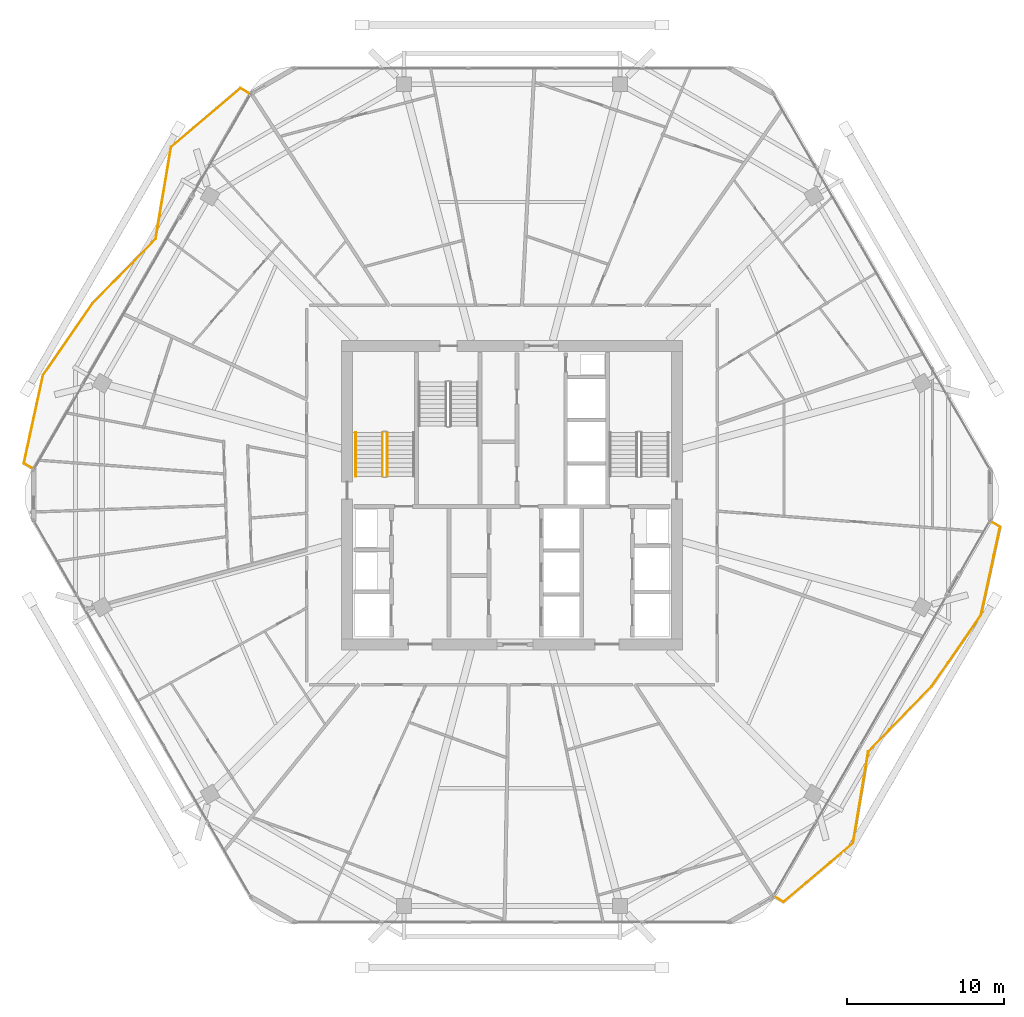
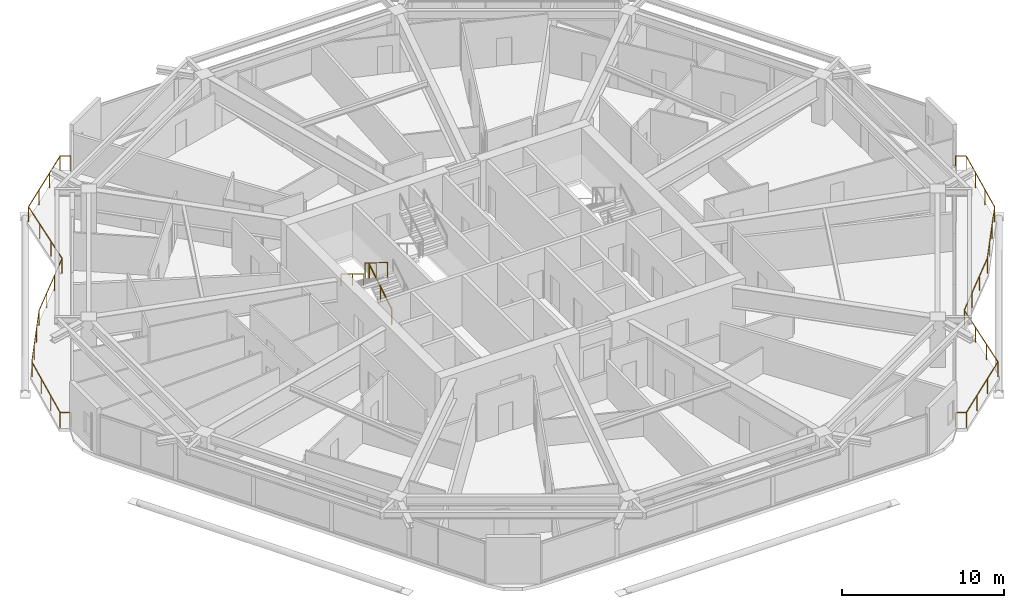
# One storey, part 27 of 28: 5 railings.
"""IFC4 building model written with IfcOpenShell, lengths in metres."""

from ifc_helpers import new_model, si_unit, direction, frame, origin, origin_2d, place, context, subcontext, project, spatial, rectangle, extrude, material, type_object, element, save


model = new_model("IFC4")

# Units and contexts
model_context = context("Model", 3, precision=1e-05, world=origin(), true_north=direction((0.0, 1.0)))
body_context = subcontext(model_context, "Body", "Model", "MODEL_VIEW")
ifc_project = project(units=[si_unit("LENGTHUNIT", "METRE"), si_unit("AREAUNIT", "SQUARE_METRE"), si_unit("VOLUMEUNIT", "CUBIC_METRE"), si_unit("PLANEANGLEUNIT", "RADIAN"), si_unit("MASSUNIT", "GRAM", prefix="KILO")], contexts=[model_context])

# Site, building, storey
site_placement = place(None, origin())
site = spatial("IfcSite", under=ifc_project, at=site_placement, CompositionType="ELEMENT")
building_placement = place(site_placement, origin())
building = spatial("IfcBuilding", under=site, at=building_placement, Name="Zuhravey Tower", CompositionType="ELEMENT")
storey_placement = place(building_placement, frame((0.0, 0.0, 222.60009765625)))
storey = spatial("IfcBuildingStorey", under=building, at=storey_placement, Name="L56", CompositionType="ELEMENT", Elevation=222.60009765625)

# Railings
ifc_material_1 = material(Name="Stainless steel 316 and laminated glass", Category="steel")
railing_type_1 = type_object("IfcRailingType", Name="Balcony & Terrace Guardrail 1150", PredefinedType="BALUSTRADE", material=ifc_material_1)
railing_1_placement = place(storey_placement, frame((5.489990234375, 33.691650390625, 0.0)))
element("IfcRailing", 1, at=railing_1_placement, inside=storey, type_object=railing_type_1, Name="L56 Face 3 Wave Balcony Guardrail GR1", PredefinedType="BALUSTRADE", context=body_context, shape_type="SweptSolid", body=[
    extrude(rectangle(XDim=0.048095703125, YDim=0.048095703125, at=origin_2d()), frame((-0.001708984375, 0.0009765625, 1.1259765625), z_axis=(-0.86593555557, 0.500155589391, 0.0), x_axis=(-0.500155589391, -0.86593555557, 0.0)), (0.0, 0.0, 1.0), 0.662841796875),
    extrude(rectangle(XDim=0.048095703125, YDim=0.048095703125, at=origin_2d()), frame((-0.576904296875, 0.33544921875, 1.1259765625), z_axis=(0.212258376678, 0.977213580304, 0.0), x_axis=(-0.977213580304, 0.212258376678, 0.0)), (0.0, 0.0, 1.0), 5.736572265625),
    extrude(rectangle(XDim=0.048095703125, YDim=0.048095703125, at=origin_2d()), frame((0.642333984375, 5.945068359375, 1.1259765625), z_axis=(0.568559716523, 0.822641993061, 0.0), x_axis=(-0.822641993061, 0.568559716523, 0.0)), (0.0, 0.0, 1.0), 5.542236328125),
    extrude(rectangle(XDim=0.048095703125, YDim=0.048095703125, at=origin_2d()), frame((3.7958984375, 10.50732421875, 1.1259765625), z_axis=(0.698251237731, 0.715852784452, 0.0), x_axis=(-0.715852784452, 0.698251237731, 0.0)), (0.0, 0.0, 1.0), 5.752197265625),
    extrude(rectangle(XDim=0.048095703125, YDim=0.048095703125, at=origin_2d()), frame((7.81396484375, 14.62841796875, 1.1259765625), z_axis=(0.165340975388, 0.98623646346, 0.0), x_axis=(-0.98623646346, 0.165340975388, 0.0)), (0.0, 0.0, 1.0), 5.921630859375),
    extrude(rectangle(XDim=0.048095703125, YDim=0.048095703125, at=origin_2d()), frame((8.794921875, 20.4716796875, 1.1259765625), z_axis=(0.762362332995, 0.647150425504, 0.0), x_axis=(-0.647150425504, 0.762362332995, 0.0)), (0.0, 0.0, 1.0), 5.78955078125),
    extrude(rectangle(XDim=0.048095703125, YDim=0.048095703125, at=origin_2d()), frame((13.2119140625, 24.21875, 1.1259765625), z_axis=(0.865900166738, -0.500216854217, 0.0), x_axis=(0.500216854217, 0.865900166738, 0.0)), (0.0, 0.0, 1.0), 0.66552734375),
    extrude(rectangle(XDim=0.0419921875, YDim=0.0419921875, at=origin_2d()), origin(), (0.0, 0.0, 1.0), 1.099853515625),
    extrude(rectangle(XDim=0.0419921875, YDim=0.0419921875, at=origin_2d()), frame((-0.577392578125, 0.33349609375, 0.0)), (0.0, 0.0, 1.0), 1.099853515625),
    extrude(rectangle(XDim=0.0419921875, YDim=0.0419921875, at=origin_2d()), frame((-0.171142578125, 2.203369140625, 0.0)), (0.0, 0.0, 1.0), 1.099853515625),
    extrude(rectangle(XDim=0.0419921875, YDim=0.0419921875, at=origin_2d()), frame((0.23486328125, 4.073486328125, 0.0)), (0.0, 0.0, 1.0), 1.099853515625),
    extrude(rectangle(XDim=0.0419921875, YDim=0.0419921875, at=origin_2d()), frame((0.64111328125, 5.943359375, 0.0)), (0.0, 0.0, 1.0), 1.099853515625),
    extrude(rectangle(XDim=0.0419921875, YDim=0.0419921875, at=origin_2d()), frame((1.692138671875, 7.464111328125, 0.0)), (0.0, 0.0, 1.0), 1.099853515625),
    extrude(rectangle(XDim=0.0419921875, YDim=0.0419921875, at=origin_2d()), frame((2.743408203125, 8.985107421875, 0.0)), (0.0, 0.0, 1.0), 1.099853515625),
    extrude(rectangle(XDim=0.0419921875, YDim=0.0419921875, at=origin_2d()), frame((3.79443359375, 10.505859375, 0.0)), (0.0, 0.0, 1.0), 1.099853515625),
    extrude(rectangle(XDim=0.0419921875, YDim=0.0419921875, at=origin_2d()), frame((5.13427734375, 11.87939453125, 0.0)), (0.0, 0.0, 1.0), 1.099853515625),
    extrude(rectangle(XDim=0.0419921875, YDim=0.0419921875, at=origin_2d()), frame((6.473876953125, 13.2529296875, 0.0)), (0.0, 0.0, 1.0), 1.099853515625),
    extrude(rectangle(XDim=0.0419921875, YDim=0.0419921875, at=origin_2d()), frame((7.813720703125, 14.62646484375, 0.0)), (0.0, 0.0, 1.0), 1.099853515625),
    extrude(rectangle(XDim=0.0419921875, YDim=0.0419921875, at=origin_2d()), frame((8.140380859375, 16.574462890625, 0.0)), (0.0, 0.0, 1.0), 1.099853515625),
    extrude(rectangle(XDim=0.0419921875, YDim=0.0419921875, at=origin_2d()), frame((8.466796875, 18.5224609375, 0.0)), (0.0, 0.0, 1.0), 1.099853515625),
    extrude(rectangle(XDim=0.0419921875, YDim=0.0419921875, at=origin_2d()), frame((8.79345703125, 20.470458984375, 0.0)), (0.0, 0.0, 1.0), 1.099853515625),
    extrude(rectangle(XDim=0.0419921875, YDim=0.0419921875, at=origin_2d()), frame((10.265625, 21.72021484375, 0.0)), (0.0, 0.0, 1.0), 1.099853515625),
    extrude(rectangle(XDim=0.0419921875, YDim=0.0419921875, at=origin_2d()), frame((11.738037109375, 22.969970703125, 0.0)), (0.0, 0.0, 1.0), 1.099853515625),
    extrude(rectangle(XDim=0.0419921875, YDim=0.0419921875, at=origin_2d()), frame((13.210205078125, 24.2197265625, 0.0)), (0.0, 0.0, 1.0), 1.099853515625),
    extrude(rectangle(XDim=0.0419921875, YDim=0.0419921875, at=origin_2d()), frame((13.7900390625, 23.884765625, 0.0)), (0.0, 0.0, 1.0), 1.099853515625),
])
railing_2_placement = place(storey_placement, frame((66.510009765625, 30.308349609375, 0.0)))
element("IfcRailing", 2, at=railing_2_placement, inside=storey, type_object=railing_type_1, Name="L56 Face 6 Wave Balcony Guardrail GR1", PredefinedType="BALUSTRADE", context=body_context, shape_type="SweptSolid", body=[
    extrude(rectangle(XDim=0.048095703125, YDim=0.048095703125, at=origin_2d()), frame((0.001708984375, -0.0009765625, 1.1259765625), z_axis=(0.86593555557, -0.500155589391, 0.0), x_axis=(0.500155589391, 0.86593555557, 0.0)), (0.0, 0.0, 1.0), 0.662841796875),
    extrude(rectangle(XDim=0.048095703125, YDim=0.048095703125, at=origin_2d()), frame((0.576904296875, -0.33544921875, 1.1259765625), z_axis=(-0.212258376678, -0.977213580304, 0.0), x_axis=(0.977213580304, -0.212258376678, 0.0)), (0.0, 0.0, 1.0), 5.736572265625),
    extrude(rectangle(XDim=0.048095703125, YDim=0.048095703125, at=origin_2d()), frame((-0.642333984375, -5.945068359375, 1.1259765625), z_axis=(-0.568559716523, -0.822641993061, 0.0), x_axis=(0.822641993061, -0.568559716523, 0.0)), (0.0, 0.0, 1.0), 5.542236328125),
    extrude(rectangle(XDim=0.048095703125, YDim=0.048095703125, at=origin_2d()), frame((-3.7958984375, -10.50732421875, 1.1259765625), z_axis=(-0.698251237731, -0.715852784452, 0.0), x_axis=(0.715852784452, -0.698251237731, 0.0)), (0.0, 0.0, 1.0), 5.752197265625),
    extrude(rectangle(XDim=0.048095703125, YDim=0.048095703125, at=origin_2d()), frame((-7.81396484375, -14.62841796875, 1.1259765625), z_axis=(-0.165340975388, -0.98623646346, 0.0), x_axis=(0.98623646346, -0.165340975388, 0.0)), (0.0, 0.0, 1.0), 5.921630859375),
    extrude(rectangle(XDim=0.048095703125, YDim=0.048095703125, at=origin_2d()), frame((-8.794921875, -20.4716796875, 1.1259765625), z_axis=(-0.762362332995, -0.647150425504, 0.0), x_axis=(0.647150425504, -0.762362332995, 0.0)), (0.0, 0.0, 1.0), 5.78955078125),
    extrude(rectangle(XDim=0.048095703125, YDim=0.048095703125, at=origin_2d()), frame((-13.2119140625, -24.21875, 1.1259765625), z_axis=(-0.865900166738, 0.500216854217, 0.0), x_axis=(-0.500216854217, -0.865900166738, 0.0)), (0.0, 0.0, 1.0), 0.66552734375),
    extrude(rectangle(XDim=0.0419921875, YDim=0.0419921875, at=origin_2d()), origin(), (0.0, 0.0, 1.0), 1.099853515625),
    extrude(rectangle(XDim=0.0419921875, YDim=0.0419921875, at=origin_2d()), frame((0.577392578125, -0.33349609375, 0.0)), (0.0, 0.0, 1.0), 1.099853515625),
    extrude(rectangle(XDim=0.0419921875, YDim=0.0419921875, at=origin_2d()), frame((0.171142578125, -2.203369140625, 0.0)), (0.0, 0.0, 1.0), 1.099853515625),
    extrude(rectangle(XDim=0.0419921875, YDim=0.0419921875, at=origin_2d()), frame((-0.23486328125, -4.073486328125, 0.0)), (0.0, 0.0, 1.0), 1.099853515625),
    extrude(rectangle(XDim=0.0419921875, YDim=0.0419921875, at=origin_2d()), frame((-0.64111328125, -5.943359375, 0.0)), (0.0, 0.0, 1.0), 1.099853515625),
    extrude(rectangle(XDim=0.0419921875, YDim=0.0419921875, at=origin_2d()), frame((-1.692138671875, -7.464111328125, 0.0)), (0.0, 0.0, 1.0), 1.099853515625),
    extrude(rectangle(XDim=0.0419921875, YDim=0.0419921875, at=origin_2d()), frame((-2.743408203125, -8.985107421875, 0.0)), (0.0, 0.0, 1.0), 1.099853515625),
    extrude(rectangle(XDim=0.0419921875, YDim=0.0419921875, at=origin_2d()), frame((-3.79443359375, -10.505859375, 0.0)), (0.0, 0.0, 1.0), 1.099853515625),
    extrude(rectangle(XDim=0.0419921875, YDim=0.0419921875, at=origin_2d()), frame((-5.13427734375, -11.87939453125, 0.0)), (0.0, 0.0, 1.0), 1.099853515625),
    extrude(rectangle(XDim=0.0419921875, YDim=0.0419921875, at=origin_2d()), frame((-6.473876953125, -13.2529296875, 0.0)), (0.0, 0.0, 1.0), 1.099853515625),
    extrude(rectangle(XDim=0.0419921875, YDim=0.0419921875, at=origin_2d()), frame((-7.813720703125, -14.62646484375, 0.0)), (0.0, 0.0, 1.0), 1.099853515625),
    extrude(rectangle(XDim=0.0419921875, YDim=0.0419921875, at=origin_2d()), frame((-8.140380859375, -16.574462890625, 0.0)), (0.0, 0.0, 1.0), 1.099853515625),
    extrude(rectangle(XDim=0.0419921875, YDim=0.0419921875, at=origin_2d()), frame((-8.466796875, -18.5224609375, 0.0)), (0.0, 0.0, 1.0), 1.099853515625),
    extrude(rectangle(XDim=0.0419921875, YDim=0.0419921875, at=origin_2d()), frame((-8.79345703125, -20.470458984375, 0.0)), (0.0, 0.0, 1.0), 1.099853515625),
    extrude(rectangle(XDim=0.0419921875, YDim=0.0419921875, at=origin_2d()), frame((-10.265625, -21.72021484375, 0.0)), (0.0, 0.0, 1.0), 1.099853515625),
    extrude(rectangle(XDim=0.0419921875, YDim=0.0419921875, at=origin_2d()), frame((-11.738037109375, -22.969970703125, 0.0)), (0.0, 0.0, 1.0), 1.099853515625),
    extrude(rectangle(XDim=0.0419921875, YDim=0.0419921875, at=origin_2d()), frame((-13.210205078125, -24.2197265625, 0.0)), (0.0, 0.0, 1.0), 1.099853515625),
    extrude(rectangle(XDim=0.0419921875, YDim=0.0419921875, at=origin_2d()), frame((-13.7900390625, -23.884765625, 0.0)), (0.0, 0.0, 1.0), 1.099853515625),
])
ifc_material_2 = material(Name="Brushed stainless steel", Category="steel")
railing_type_2 = type_object("IfcRailingType", Name="Stair Wall Handrail 900", PredefinedType="HANDRAIL", material=ifc_material_2)
railing_3_placement = place(storey_placement, frame((26.050048828125, 36.0, 2.072509765625)))
element("IfcRailing", 3, at=railing_3_placement, inside=storey, type_object=railing_type_2, Name="L56 ST1 stair handrail 2", PredefinedType="HANDRAIL", context=body_context, shape_type="SweptSolid", body=[
    extrude(rectangle(XDim=0.048095703125, YDim=0.048095703125, at=origin_2d()), frame((0.0, -0.001708984375, 0.876953125), z_axis=(0.0, -0.851089632645, 0.525020415988), x_axis=(1.0, 0.0, 0.0)), (0.0, 0.0, 1.0), 3.285888671875),
    extrude(rectangle(XDim=0.0419921875, YDim=0.0419921875, at=origin_2d()), origin(), (0.0, 0.0, 1.0), 0.849853515625),
    extrude(rectangle(XDim=0.0419921875, YDim=0.0419921875, at=origin_2d()), frame((0.0, -1.39990234375, 0.86376953125)), (0.0, 0.0, 1.0), 0.849853515625),
    extrude(rectangle(XDim=0.0419921875, YDim=0.0419921875, at=origin_2d()), frame((0.0, -2.800048828125, 1.727294921875)), (0.0, 0.0, 1.0), 0.849853515625),
])
ifc_material_3 = material(Name="Painted tubular steel", Category="steel")
railing_type_3 = type_object("IfcRailingType", Name="Stair Well Guardrail 1150", PredefinedType="GUARDRAIL", material=ifc_material_3)
railing_4_placement = place(storey_placement, frame((28.050048828125, 33.199951171875, 0.172607421875)))
element("IfcRailing", 4, at=railing_4_placement, inside=storey, type_object=railing_type_3, Name="L56 ST1 stair guard 1", PredefinedType="GUARDRAIL", context=body_context, shape_type="SweptSolid", body=[
    extrude(rectangle(XDim=0.048095703125, YDim=0.048095703125, at=origin_2d()), frame((0.0, 0.001708984375, 1.126953125), z_axis=(0.0, 0.851089632645, 0.525020415988), x_axis=(-1.0, 0.0, 0.0)), (0.0, 0.0, 1.0), 3.285888671875),
    extrude(rectangle(XDim=0.0419921875, YDim=0.0419921875, at=origin_2d()), origin(), (0.0, 0.0, 1.0), 1.099853515625),
    extrude(rectangle(XDim=0.0419921875, YDim=0.0419921875, at=origin_2d()), frame((0.0, 1.39990234375, 0.86376953125)), (0.0, 0.0, 1.0), 1.099853515625),
    extrude(rectangle(XDim=0.0419921875, YDim=0.0419921875, at=origin_2d()), frame((0.0, 2.800048828125, 1.727294921875)), (0.0, 0.0, 1.0), 1.099853515625),
])
railing_5_placement = place(storey_placement, frame((27.75, 36.0, 2.072509765625)))
element("IfcRailing", 5, at=railing_5_placement, inside=storey, type_object=railing_type_3, Name="L56 ST1 stair guard 3", PredefinedType="GUARDRAIL", context=body_context, shape_type="SweptSolid", body=[
    extrude(rectangle(XDim=0.048095703125, YDim=0.048095703125, at=origin_2d()), frame((0.0, -0.001708984375, 1.126953125), z_axis=(0.0, -0.851089632645, 0.525020415988), x_axis=(1.0, 0.0, 0.0)), (0.0, 0.0, 1.0), 3.285888671875),
    extrude(rectangle(XDim=0.0419921875, YDim=0.0419921875, at=origin_2d()), origin(), (0.0, 0.0, 1.0), 1.099853515625),
    extrude(rectangle(XDim=0.0419921875, YDim=0.0419921875, at=origin_2d()), frame((0.0, -1.39990234375, 0.86376953125)), (0.0, 0.0, 1.0), 1.099853515625),
    extrude(rectangle(XDim=0.0419921875, YDim=0.0419921875, at=origin_2d()), frame((0.0, -2.800048828125, 1.727294921875)), (0.0, 0.0, 1.0), 1.099853515625),
])

save(model, "model.ifc")
